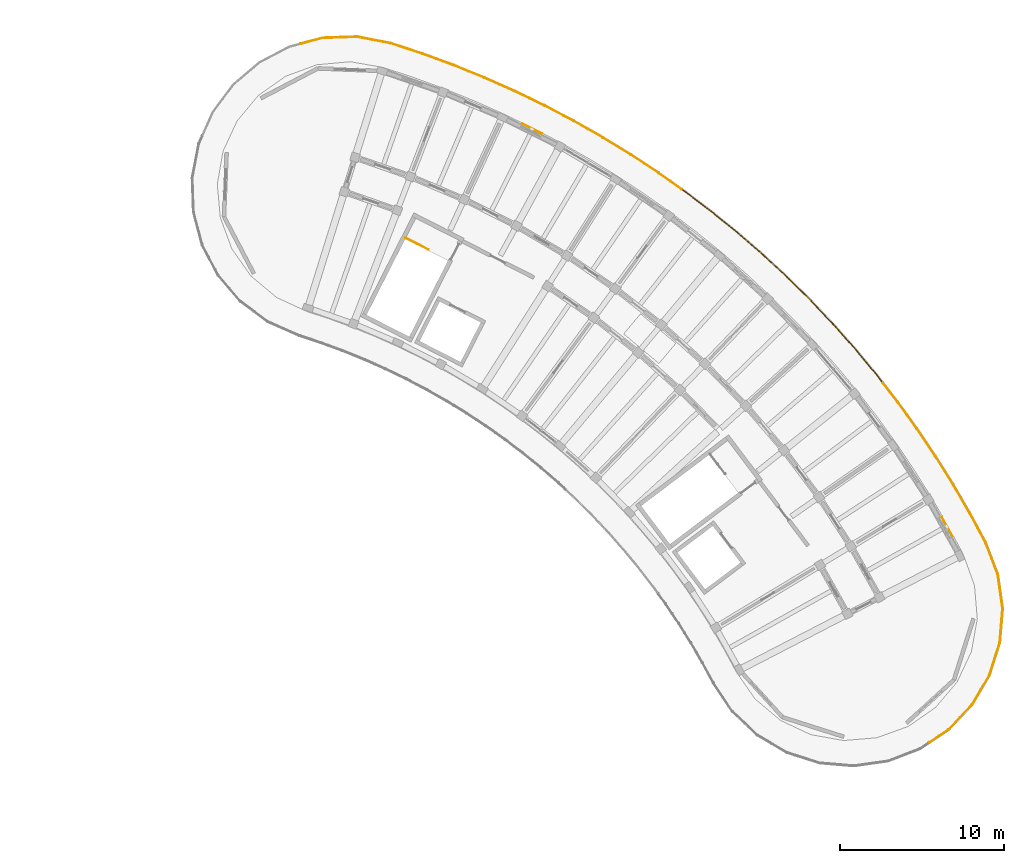
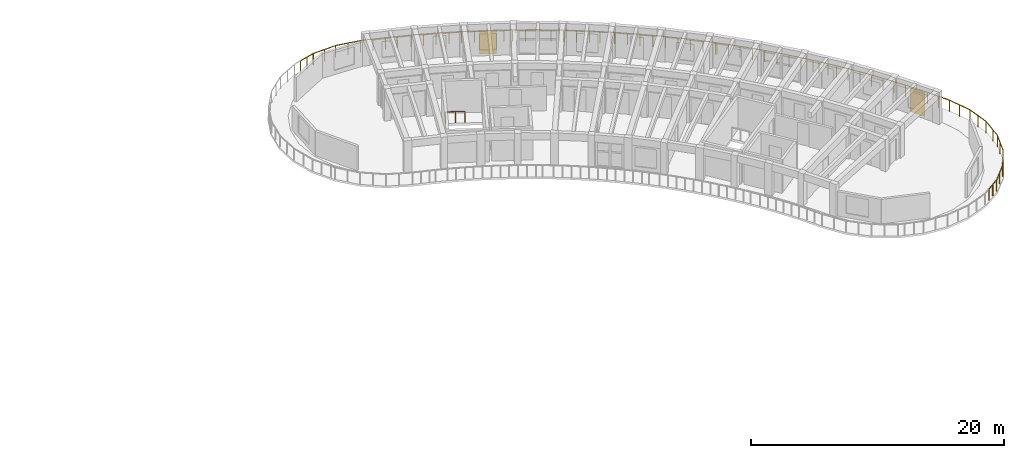
# One storey, part 32 of 32: 9 railings, 2 shading devices.
"""IFC4 building model written with IfcOpenShell, lengths in metres."""

from ifc_helpers import new_model, si_unit, direction, frame, origin, origin_2d, place, context, subcontext, project, spatial, rectangle, circle, extrude, material, layer, layer_set, type_object, element, save


model = new_model("IFC4")

# Units and contexts
model_context = context("Model", 3, precision=1e-05, world=origin(), true_north=direction((0.0, 1.0)))
body_context = subcontext(model_context, "Body", "Model", "MODEL_VIEW")
ifc_project = project(units=[si_unit("LENGTHUNIT", "METRE"), si_unit("AREAUNIT", "SQUARE_METRE"), si_unit("VOLUMEUNIT", "CUBIC_METRE"), si_unit("PLANEANGLEUNIT", "RADIAN"), si_unit("MASSUNIT", "GRAM", prefix="KILO")], contexts=[model_context])

# Site, building, storey
site_placement = place(None, origin())
site = spatial("IfcSite", under=ifc_project, at=site_placement, CompositionType="ELEMENT")
building_placement = place(site_placement, origin())
building = spatial("IfcBuilding", under=site, at=building_placement, Name="Tanwirah Colonnade Gardens", CompositionType="ELEMENT")
storey_placement = place(building_placement, frame((0.0, 0.0, 42.43994140625)))
storey = spatial("IfcBuildingStorey", under=building, at=storey_placement, Name="L12", CompositionType="ELEMENT", Elevation=42.43994140625)

# Railings
ifc_material_1 = material(Name="Precast concrete C40/50", Category="concrete")
railing_type_1 = type_object("IfcRailingType", Name="BAL-EXT112", PredefinedType="BALUSTRADE", material=ifc_material_1)
railing_1_placement = place(storey_placement, frame((133.782958984375, 118.701416015625, 0.0)))
element("IfcRailing", 1, at=railing_1_placement, inside=storey, type_object=railing_type_1, Name="Block B L12 Balcony Ribbon Balustrade 8", PredefinedType="BALUSTRADE", context=body_context, shape_type="SweptSolid", body=[
    extrude(circle(Radius=0.02392578125, at=origin_2d()), frame((0.0302734375, 0.008056640625, 1.09619140625), z_axis=(0.966786526516, 0.255585234603, 0.0), x_axis=(-0.255585234603, 0.966786526516, 0.0)), (0.0, 0.0, 1.0), 1.3349609375),
    extrude(circle(Radius=0.02392578125, at=origin_2d()), frame((1.38232421875, 0.358154296875, 1.09619140625), z_axis=(0.99942036121, 0.034043231314, 0.0), x_axis=(-0.034043231314, 0.99942036121, 0.0)), (0.0, 0.0, 1.0), 2.0244140625),
    extrude(circle(Radius=0.02392578125, at=origin_2d()), frame((3.467529296875, 0.42236328125, 1.09619140625), z_axis=(0.981943925546, -0.18917221541, 0.0), x_axis=(0.18917221541, 0.981943925546, 0.0)), (0.0, 0.0, 1.0), 2.0283203125),
    extrude(circle(Radius=0.02392578125, at=origin_2d()), frame((5.51953125, 0.02294921875, 1.09619140625), z_axis=(0.949538943768, -0.313649157926, 0.0), x_axis=(0.313649157926, 0.949538943768, 0.0)), (0.0, 0.0, 1.0), 1.955078125),
    extrude(circle(Radius=0.02392578125, at=origin_2d()), frame((7.434814453125, -0.61083984375, 1.09619140625), z_axis=(0.938728394711, -0.344657802701, 0.0), x_axis=(0.344657802701, 0.938728394711, 0.0)), (0.0, 0.0, 1.0), 0.844970703125),
    extrude(circle(Radius=0.02099609375, at=origin_2d()), origin(), (0.0, 0.0, 1.0), 1.069091796875),
    extrude(circle(Radius=0.02099609375, at=origin_2d()), frame((0.675537109375, 0.1787109375, 0.0)), (0.0, 0.0, 1.0), 1.069091796875),
    extrude(circle(Radius=0.02099609375, at=origin_2d()), frame((1.35107421875, 0.357177734375, 0.0)), (0.0, 0.0, 1.0), 1.069091796875),
    extrude(circle(Radius=0.02099609375, at=origin_2d()), frame((2.39404296875, 0.392578125, 0.0)), (0.0, 0.0, 1.0), 1.069091796875),
    extrude(circle(Radius=0.02099609375, at=origin_2d()), frame((3.436767578125, 0.42822265625, 0.0)), (0.0, 0.0, 1.0), 1.069091796875),
    extrude(circle(Radius=0.02099609375, at=origin_2d()), frame((4.46337890625, 0.23046875, 0.0)), (0.0, 0.0, 1.0), 1.069091796875),
    extrude(circle(Radius=0.02099609375, at=origin_2d()), frame((5.48974609375, 0.03271484375, 0.0)), (0.0, 0.0, 1.0), 1.069091796875),
    extrude(circle(Radius=0.02099609375, at=origin_2d()), frame((6.44775390625, -0.28369140625, 0.0)), (0.0, 0.0, 1.0), 1.069091796875),
    extrude(circle(Radius=0.02099609375, at=origin_2d()), frame((7.405517578125, -0.60009765625, 0.0)), (0.0, 0.0, 1.0), 1.069091796875),
    extrude(circle(Radius=0.02099609375, at=origin_2d()), frame((8.25732421875, -0.912841796875, 0.0)), (0.0, 0.0, 1.0), 1.069091796875),
])
railing_2_placement = place(storey_placement, frame((142.040283203125, 117.78857421875, 0.0)))
element("IfcRailing", 2, at=railing_2_placement, inside=storey, type_object=railing_type_1, Name="Block B L12 Balcony Ribbon Balustrade 9", PredefinedType="BALUSTRADE", context=body_context, shape_type="SweptSolid", body=[
    extrude(circle(Radius=0.02392578125, at=origin_2d()), frame((0.029296875, -0.0107421875, 1.09619140625), z_axis=(0.93872040888, -0.34467955256, 0.0), x_axis=(0.34467955256, 0.93872040888, 0.0)), (0.0, 0.0, 1.0), 1.0517578125),
    extrude(circle(Radius=0.02392578125, at=origin_2d()), frame((1.074951171875, -0.395751953125, 1.09619140625), z_axis=(0.926784720453, -0.375592973757, 0.0), x_axis=(0.375592973757, 0.926784720453, 0.0)), (0.0, 0.0, 1.0), 1.958984375),
    extrude(circle(Radius=0.02392578125, at=origin_2d()), frame((2.947998046875, -1.156005859375, 1.09619140625), z_axis=(0.913950953394, -0.405824660156, 0.0), x_axis=(0.405824660156, 0.913950953394, 0.0)), (0.0, 0.0, 1.0), 1.958740234375),
    extrude(circle(Radius=0.02392578125, at=origin_2d()), frame((4.794921875, -1.977294921875, 1.09619140625), z_axis=(0.900055350621, -0.435775591122, 0.0), x_axis=(0.435775591122, 0.900055350621, 0.0)), (0.0, 0.0, 1.0), 1.958740234375),
    extrude(circle(Radius=0.02392578125, at=origin_2d()), frame((6.61376953125, -2.859130859375, 1.09619140625), z_axis=(0.885230583026, -0.465152464119, 0.0), x_axis=(0.465152464119, 0.885230583026, 0.0)), (0.0, 0.0, 1.0), 1.259033203125),
    extrude(circle(Radius=0.02099609375, at=origin_2d()), origin(), (0.0, 0.0, 1.0), 1.069091796875),
    extrude(circle(Radius=0.02099609375, at=origin_2d()), frame((1.0458984375, -0.384033203125, 0.0)), (0.0, 0.0, 1.0), 1.069091796875),
    extrude(circle(Radius=0.02099609375, at=origin_2d()), frame((1.982666015625, -0.763671875, 0.0)), (0.0, 0.0, 1.0), 1.069091796875),
    extrude(circle(Radius=0.02099609375, at=origin_2d()), frame((2.91943359375, -1.143310546875, 0.0)), (0.0, 0.0, 1.0), 1.069091796875),
    extrude(circle(Radius=0.02099609375, at=origin_2d()), frame((3.84326171875, -1.553466796875, 0.0)), (0.0, 0.0, 1.0), 1.069091796875),
    extrude(circle(Radius=0.02099609375, at=origin_2d()), frame((4.766845703125, -1.963623046875, 0.0)), (0.0, 0.0, 1.0), 1.069091796875),
    extrude(circle(Radius=0.02099609375, at=origin_2d()), frame((5.676513671875, -2.404052734375, 0.0)), (0.0, 0.0, 1.0), 1.069091796875),
    extrude(circle(Radius=0.02099609375, at=origin_2d()), frame((6.586181640625, -2.844482421875, 0.0)), (0.0, 0.0, 1.0), 1.069091796875),
    extrude(circle(Radius=0.02099609375, at=origin_2d()), frame((7.756103515625, -3.459228515625, 0.0)), (0.0, 0.0, 1.0), 1.069091796875),
])
railing_3_placement = place(storey_placement, frame((149.79638671875, 114.329345703125, 0.0)))
element("IfcRailing", 3, at=railing_3_placement, inside=storey, type_object=railing_type_1, Name="Block B L12 Balcony Ribbon Balustrade 10", PredefinedType="BALUSTRADE", context=body_context, shape_type="SweptSolid", body=[
    extrude(circle(Radius=0.02392578125, at=origin_2d()), frame((0.027587890625, -0.0146484375, 1.09619140625), z_axis=(0.885175313898, -0.465257631497, 0.0), x_axis=(0.465257631497, 0.885175313898, 0.0)), (0.0, 0.0, 1.0), 0.637451171875),
    extrude(circle(Radius=0.02392578125, at=origin_2d()), frame((0.646728515625, -0.341064453125, 1.09619140625), z_axis=(0.869392881113, -0.494121461049, 0.0), x_axis=(0.494121461049, 0.869392881113, 0.0)), (0.0, 0.0, 1.0), 1.958740234375),
    extrude(circle(Radius=0.02392578125, at=origin_2d()), frame((2.403564453125, -1.3408203125, 1.09619140625), z_axis=(0.852660263329, -0.522465764754, 0.0), x_axis=(0.522465764754, 0.852660263329, 0.0)), (0.0, 0.0, 1.0), 1.958984375),
    extrude(circle(Radius=0.02392578125, at=origin_2d()), frame((4.126708984375, -2.397705078125, 1.09619140625), z_axis=(0.834955682369, -0.550317188973, 0.0), x_axis=(0.550317188973, 0.834955682369, 0.0)), (0.0, 0.0, 1.0), 1.959228515625),
    extrude(circle(Radius=0.02392578125, at=origin_2d()), frame((5.814208984375, -3.51123046875, 1.09619140625), z_axis=(0.816320192211, -0.577599639707, 0.0), x_axis=(0.577599639707, 0.816320192211, 0.0)), (0.0, 0.0, 1.0), 1.673095703125),
    extrude(circle(Radius=0.02099609375, at=origin_2d()), origin(), (0.0, 0.0, 1.0), 1.069091796875),
    extrude(circle(Radius=0.02099609375, at=origin_2d()), frame((0.61962890625, -0.32568359375, 0.0)), (0.0, 0.0, 1.0), 1.069091796875),
    extrude(circle(Radius=0.02099609375, at=origin_2d()), frame((1.498291015625, -0.8251953125, 0.0)), (0.0, 0.0, 1.0), 1.069091796875),
    extrude(circle(Radius=0.02099609375, at=origin_2d()), frame((2.376953125, -1.324462890625, 0.0)), (0.0, 0.0, 1.0), 1.069091796875),
    extrude(circle(Radius=0.02099609375, at=origin_2d()), frame((3.23876953125, -1.8525390625, 0.0)), (0.0, 0.0, 1.0), 1.069091796875),
    extrude(circle(Radius=0.02099609375, at=origin_2d()), frame((4.1005859375, -2.380615234375, 0.0)), (0.0, 0.0, 1.0), 1.069091796875),
    extrude(circle(Radius=0.02099609375, at=origin_2d()), frame((4.944580078125, -2.93701171875, 0.0)), (0.0, 0.0, 1.0), 1.069091796875),
    extrude(circle(Radius=0.02099609375, at=origin_2d()), frame((5.78857421875, -3.4931640625, 0.0)), (0.0, 0.0, 1.0), 1.069091796875),
    extrude(circle(Radius=0.02099609375, at=origin_2d()), frame((6.4970703125, -3.994384765625, 0.0)), (0.0, 0.0, 1.0), 1.069091796875),
    extrude(circle(Radius=0.02099609375, at=origin_2d()), frame((7.205322265625, -4.49560546875, 0.0)), (0.0, 0.0, 1.0), 1.069091796875),
])
railing_4_placement = place(storey_placement, frame((157.001708984375, 109.833740234375, 0.0)))
element("IfcRailing", 4, at=railing_4_placement, inside=storey, type_object=railing_type_1, Name="Block B L12 Balcony Ribbon Balustrade 11", PredefinedType="BALUSTRADE", context=body_context, shape_type="SweptSolid", body=[
    extrude(circle(Radius=0.02392578125, at=origin_2d()), frame((0.025634765625, -0.01806640625, 1.09619140625), z_axis=(0.816494198579, -0.577353638325, 0.0), x_axis=(0.577353638325, 0.816494198579, 0.0)), (0.0, 0.0, 1.0), 0.223388671875),
    extrude(circle(Radius=0.02392578125, at=origin_2d()), frame((0.25830078125, -0.183837890625, 1.09619140625), z_axis=(0.796887753746, -0.604127393792, 0.0), x_axis=(0.604127393792, 0.796887753746, 0.0)), (0.0, 0.0, 1.0), 1.958984375),
    extrude(circle(Radius=0.02392578125, at=origin_2d()), frame((1.868408203125, -1.406005859375, 1.09619140625), z_axis=(0.776549722569, -0.630055972417, 0.0), x_axis=(0.630055972417, 0.776549722569, 0.0)), (0.0, 0.0, 1.0), 1.958984375),
    extrude(circle(Radius=0.02392578125, at=origin_2d()), frame((3.437744140625, -2.680419921875, 1.09619140625), z_axis=(0.755338292497, -0.655335077565, 0.0), x_axis=(0.655335077565, 0.755338292497, 0.0)), (0.0, 0.0, 1.0), 1.958984375),
    extrude(circle(Radius=0.02392578125, at=origin_2d()), frame((4.9638671875, -4.005859375, 1.09619140625), z_axis=(0.733352454033, -0.679848643569, 0.0), x_axis=(0.679848643569, 0.733352454033, 0.0)), (0.0, 0.0, 1.0), 1.958984375),
    extrude(circle(Radius=0.02392578125, at=origin_2d()), frame((6.445556640625, -5.380859375, 1.09619140625), z_axis=(0.709956068525, -0.704245966097, 0.0), x_axis=(0.704245966097, 0.709956068525, 0.0)), (0.0, 0.0, 1.0), 0.065673828125),
    extrude(circle(Radius=0.02099609375, at=origin_2d()), origin(), (0.0, 0.0, 1.0), 1.069091796875),
    extrude(circle(Radius=0.02099609375, at=origin_2d()), frame((0.2333984375, -0.1650390625, 0.0)), (0.0, 0.0, 1.0), 1.069091796875),
    extrude(circle(Radius=0.02099609375, at=origin_2d()), frame((1.038818359375, -0.775634765625, 0.0)), (0.0, 0.0, 1.0), 1.069091796875),
    extrude(circle(Radius=0.02099609375, at=origin_2d()), frame((1.84423828125, -1.38623046875, 0.0)), (0.0, 0.0, 1.0), 1.069091796875),
    extrude(circle(Radius=0.02099609375, at=origin_2d()), frame((2.629150390625, -2.02294921875, 0.0)), (0.0, 0.0, 1.0), 1.069091796875),
    extrude(circle(Radius=0.02099609375, at=origin_2d()), frame((3.4140625, -2.659912109375, 0.0)), (0.0, 0.0, 1.0), 1.069091796875),
    extrude(circle(Radius=0.02099609375, at=origin_2d()), frame((4.177490234375, -3.322265625, 0.0)), (0.0, 0.0, 1.0), 1.069091796875),
    extrude(circle(Radius=0.02099609375, at=origin_2d()), frame((4.94091796875, -3.984619140625, 0.0)), (0.0, 0.0, 1.0), 1.069091796875),
    extrude(circle(Radius=0.02099609375, at=origin_2d()), frame((5.68212890625, -4.671875, 0.0)), (0.0, 0.0, 1.0), 1.069091796875),
    extrude(circle(Radius=0.02099609375, at=origin_2d()), frame((6.42333984375, -5.35888671875, 0.0)), (0.0, 0.0, 1.0), 1.069091796875),
    extrude(circle(Radius=0.02099609375, at=origin_2d()), frame((6.514404296875, -5.44921875, 0.0)), (0.0, 0.0, 1.0), 1.069091796875),
])
railing_5_placement = place(storey_placement, frame((163.51611328125, 104.384521484375, 0.0)))
element("IfcRailing", 5, at=railing_5_placement, inside=storey, type_object=railing_type_1, Name="Block B L12 Balcony Ribbon Balustrade 12", PredefinedType="BALUSTRADE", context=body_context, shape_type="SweptSolid", body=[
    extrude(circle(Radius=0.02392578125, at=origin_2d()), frame((0.022216796875, -0.02197265625, 1.09619140625), z_axis=(0.71051570496, -0.703681343369, 0.0), x_axis=(0.703681343369, 0.71051570496, 0.0)), (0.0, 0.0, 1.0), 1.830810546875),
    extrude(circle(Radius=0.02392578125, at=origin_2d()), frame((1.36669921875, -1.35498046875, 1.09619140625), z_axis=(0.686960364449, -0.726694886232, 0.0), x_axis=(0.726694886232, 0.686960364449, 0.0)), (0.0, 0.0, 1.0), 1.958984375),
    extrude(circle(Radius=0.02392578125, at=origin_2d()), frame((2.754638671875, -2.82470703125, 1.09619140625), z_axis=(0.662607760508, -0.748966591854, 0.0), x_axis=(0.748966591854, 0.662607760508, 0.0)), (0.0, 0.0, 1.0), 1.958740234375),
    extrude(circle(Radius=0.02392578125, at=origin_2d()), frame((4.09326171875, -4.33935546875, 1.09619140625), z_axis=(0.637555355491, -0.770404548717, 0.0), x_axis=(0.770404548717, 0.637555355491, 0.0)), (0.0, 0.0, 1.0), 1.958984375),
    extrude(circle(Radius=0.02392578125, at=origin_2d()), frame((5.381103515625, -5.897216796875, 1.09619140625), z_axis=(0.612100569499, -0.790779926919, 0.0), x_axis=(0.790779926919, 0.612100569499, 0.0)), (0.0, 0.0, 1.0), 0.47998046875),
    extrude(circle(Radius=0.02099609375, at=origin_2d()), origin(), (0.0, 0.0, 1.0), 1.069091796875),
    extrude(circle(Radius=0.02099609375, at=origin_2d()), frame((0.672607421875, -0.666015625, 0.0)), (0.0, 0.0, 1.0), 1.069091796875),
    extrude(circle(Radius=0.02099609375, at=origin_2d()), frame((1.34521484375, -1.332275390625, 0.0)), (0.0, 0.0, 1.0), 1.069091796875),
    extrude(circle(Radius=0.02099609375, at=origin_2d()), frame((2.03955078125, -2.06689453125, 0.0)), (0.0, 0.0, 1.0), 1.069091796875),
    extrude(circle(Radius=0.02099609375, at=origin_2d()), frame((2.73388671875, -2.80126953125, 0.0)), (0.0, 0.0, 1.0), 1.069091796875),
    extrude(circle(Radius=0.02099609375, at=origin_2d()), frame((3.403564453125, -3.55810546875, 0.0)), (0.0, 0.0, 1.0), 1.069091796875),
    extrude(circle(Radius=0.02099609375, at=origin_2d()), frame((4.0732421875, -4.315185546875, 0.0)), (0.0, 0.0, 1.0), 1.069091796875),
    extrude(circle(Radius=0.02099609375, at=origin_2d()), frame((4.7177734375, -5.09375, 0.0)), (0.0, 0.0, 1.0), 1.069091796875),
    extrude(circle(Radius=0.02099609375, at=origin_2d()), frame((5.362060546875, -5.87255859375, 0.0)), (0.0, 0.0, 1.0), 1.069091796875),
    extrude(circle(Radius=0.02099609375, at=origin_2d()), frame((5.694091796875, -6.301513671875, 0.0)), (0.0, 0.0, 1.0), 1.069091796875),
])
railing_6_placement = place(storey_placement, frame((169.210205078125, 98.0830078125, 0.0)))
element("IfcRailing", 6, at=railing_6_placement, inside=storey, type_object=railing_type_1, Name="Block B L12 Balcony Ribbon Balustrade 13", PredefinedType="BALUSTRADE", context=body_context, shape_type="SweptSolid", body=[
    extrude(circle(Radius=0.02392578125, at=origin_2d()), frame((0.01904296875, -0.024658203125, 1.09619140625), z_axis=(0.61176692315, -0.791038072244, 0.0), x_axis=(0.791038072244, 0.61176692315, 0.0)), (0.0, 0.0, 1.0), 1.41650390625),
    extrude(circle(Radius=0.02392578125, at=origin_2d()), frame((0.923095703125, -1.1953125, 1.09619140625), z_axis=(0.585468507287, -0.810695150457, 0.0), x_axis=(0.810695150457, 0.585468507287, 0.0)), (0.0, 0.0, 1.0), 1.958984375),
    extrude(circle(Radius=0.02392578125, at=origin_2d()), frame((2.105712890625, -2.834716796875, 1.09619140625), z_axis=(0.558345997542, -0.829608188863, 0.0), x_axis=(0.829608188863, 0.558345997542, 0.0)), (0.0, 0.0, 1.0), 1.958984375),
    extrude(circle(Radius=0.02392578125, at=origin_2d()), frame((3.233642578125, -4.512451171875, 1.09619140625), z_axis=(0.530812919598, -0.847489023167, 0.0), x_axis=(0.847489023167, 0.530812919598, 0.0)), (0.0, 0.0, 1.0), 1.958984375),
    extrude(circle(Radius=0.02392578125, at=origin_2d()), frame((4.3056640625, -6.22607421875, 1.09619140625), z_axis=(0.502394153774, -0.864638718919, 0.0), x_axis=(0.864638718919, 0.502394153774, 0.0)), (0.0, 0.0, 1.0), 0.893798828125),
    extrude(circle(Radius=0.02099609375, at=origin_2d()), origin(), (0.0, 0.0, 1.0), 1.069091796875),
    extrude(circle(Radius=0.02099609375, at=origin_2d()), frame((0.452392578125, -0.5849609375, 0.0)), (0.0, 0.0, 1.0), 1.069091796875),
    extrude(circle(Radius=0.02099609375, at=origin_2d()), frame((0.90478515625, -1.169921875, 0.0)), (0.0, 0.0, 1.0), 1.069091796875),
    extrude(circle(Radius=0.02099609375, at=origin_2d()), frame((1.49658203125, -1.9892578125, 0.0)), (0.0, 0.0, 1.0), 1.069091796875),
    extrude(circle(Radius=0.02099609375, at=origin_2d()), frame((2.08837890625, -2.808837890625, 0.0)), (0.0, 0.0, 1.0), 1.069091796875),
    extrude(circle(Radius=0.02099609375, at=origin_2d()), frame((2.65283203125, -3.6474609375, 0.0)), (0.0, 0.0, 1.0), 1.069091796875),
    extrude(circle(Radius=0.02099609375, at=origin_2d()), frame((3.217041015625, -4.48583984375, 0.0)), (0.0, 0.0, 1.0), 1.069091796875),
    extrude(circle(Radius=0.02099609375, at=origin_2d()), frame((3.75341796875, -5.34228515625, 0.0)), (0.0, 0.0, 1.0), 1.069091796875),
    extrude(circle(Radius=0.02099609375, at=origin_2d()), frame((4.2900390625, -6.198974609375, 0.0)), (0.0, 0.0, 1.0), 1.069091796875),
    extrude(circle(Radius=0.02099609375, at=origin_2d()), frame((4.7705078125, -7.02587890625, 0.0)), (0.0, 0.0, 1.0), 1.069091796875),
])
railing_7_placement = place(storey_placement, frame((173.980712890625, 91.05712890625, 0.0)))
element("IfcRailing", 7, at=railing_7_placement, inside=storey, type_object=railing_type_1, Name="Block B L12 Balcony Ribbon Balustrade 14", PredefinedType="BALUSTRADE", context=body_context, shape_type="SweptSolid", body=[
    extrude(circle(Radius=0.02392578125, at=origin_2d()), frame((0.015625, -0.027099609375, 1.09619140625), z_axis=(0.502445152034, -0.864609084614, 0.0), x_axis=(0.864609084614, 0.502445152034, 0.0)), (0.0, 0.0, 1.0), 1.002685546875),
    extrude(circle(Radius=0.02392578125, at=origin_2d()), frame((0.550048828125, -0.948486328125, 1.09619140625), z_axis=(0.473825613397, -0.880618696196, 0.0), x_axis=(0.880618696196, 0.473825613397, 0.0)), (0.0, 0.0, 1.0), 1.955322265625),
    extrude(circle(Radius=0.02392578125, at=origin_2d()), frame((1.50244140625, -2.72705078125, 1.09619140625), z_axis=(0.356747891144, -0.934200696941, 0.0), x_axis=(0.934200696941, 0.356747891144, 0.0)), (0.0, 0.0, 1.0), 2.028076171875),
    extrude(circle(Radius=0.02392578125, at=origin_2d()), frame((2.241455078125, -4.681884765625, 1.09619140625), z_axis=(0.140045335647, -0.99014509238, 0.0), x_axis=(0.99014509238, 0.140045335647, 0.0)), (0.0, 0.0, 1.0), 2.024169921875),
    extrude(circle(Radius=0.02392578125, at=origin_2d()), frame((2.526611328125, -6.748291015625, 1.09619140625), z_axis=(-0.0838764758, -0.996476159678, 0.0), x_axis=(0.996476159678, -0.0838764758, 0.0)), (0.0, 0.0, 1.0), 1.177490234375),
    extrude(circle(Radius=0.02099609375, at=origin_2d()), origin(), (0.0, 0.0, 1.0), 1.069091796875),
    extrude(circle(Radius=0.02099609375, at=origin_2d()), frame((0.53515625, -0.9208984375, 0.0)), (0.0, 0.0, 1.0), 1.069091796875),
    extrude(circle(Radius=0.02099609375, at=origin_2d()), frame((1.01318359375, -1.809326171875, 0.0)), (0.0, 0.0, 1.0), 1.069091796875),
    extrude(circle(Radius=0.02099609375, at=origin_2d()), frame((1.4912109375, -2.69775390625, 0.0)), (0.0, 0.0, 1.0), 1.069091796875),
    extrude(circle(Radius=0.02099609375, at=origin_2d()), frame((1.8642578125, -3.67431640625, 0.0)), (0.0, 0.0, 1.0), 1.069091796875),
    extrude(circle(Radius=0.02099609375, at=origin_2d()), frame((2.237060546875, -4.65087890625, 0.0)), (0.0, 0.0, 1.0), 1.069091796875),
    extrude(circle(Radius=0.02099609375, at=origin_2d()), frame((2.38330078125, -5.68408203125, 0.0)), (0.0, 0.0, 1.0), 1.069091796875),
    extrude(circle(Radius=0.02099609375, at=origin_2d()), frame((2.529296875, -6.717041015625, 0.0)), (0.0, 0.0, 1.0), 1.069091796875),
    extrude(circle(Radius=0.02099609375, at=origin_2d()), frame((2.42529296875, -7.95263671875, 0.0)), (0.0, 0.0, 1.0), 1.069091796875),
])
railing_8_placement = place(storey_placement, frame((176.406005859375, 83.1044921875, 0.0)))
element("IfcRailing", 8, at=railing_8_placement, inside=storey, type_object=railing_type_1, Name="Block B L12 Balcony Ribbon Balustrade 15", PredefinedType="BALUSTRADE", context=body_context, shape_type="SweptSolid", body=[
    extrude(circle(Radius=0.02392578125, at=origin_2d()), frame((-0.002685546875, -0.03125, 1.09619140625), z_axis=(-0.083880378039, -0.996475831207, 0.0), x_axis=(0.996475831207, -0.083880378039, 0.0)), (0.0, 0.0, 1.0), 0.784423828125),
    extrude(circle(Radius=0.02392578125, at=origin_2d()), frame((-0.08056640625, -0.873779296875, 1.09619140625), z_axis=(-0.303459565149, -0.952844316937, 0.0), x_axis=(0.952844316937, -0.303459565149, 0.0)), (0.0, 0.0, 1.0), 2.0244140625),
    extrude(circle(Radius=0.02392578125, at=origin_2d()), frame((-0.72021484375, -2.859375, 1.09619140625), z_axis=(-0.507822547411, -0.861461699869, 0.0), x_axis=(0.861461699869, -0.507822547411, 0.0)), (0.0, 0.0, 1.0), 2.0244140625),
    extrude(circle(Radius=0.02392578125, at=origin_2d()), frame((-1.78564453125, -4.653076171875, 1.09619140625), z_axis=(-0.686939500994, -0.72671460834, 0.0), x_axis=(0.72671460834, -0.686939500994, 0.0)), (0.0, 0.0, 1.0), 2.0244140625),
    extrude(circle(Radius=0.02392578125, at=origin_2d()), frame((-3.2236328125, -6.164306640625, 1.09619140625), z_axis=(-0.831321057793, -0.555792496234, 0.0), x_axis=(0.555792496234, -0.831321057793, 0.0)), (0.0, 0.0, 1.0), 1.32958984375),
    extrude(circle(Radius=0.02099609375, at=origin_2d()), origin(), (0.0, 0.0, 1.0), 1.069091796875),
    extrude(circle(Radius=0.02099609375, at=origin_2d()), frame((-0.071044921875, -0.843994140625, 0.0)), (0.0, 0.0, 1.0), 1.069091796875),
    extrude(circle(Radius=0.02099609375, at=origin_2d()), frame((-0.3876953125, -1.83837890625, 0.0)), (0.0, 0.0, 1.0), 1.069091796875),
    extrude(circle(Radius=0.02099609375, at=origin_2d()), frame((-0.704345703125, -2.83251953125, 0.0)), (0.0, 0.0, 1.0), 1.069091796875),
    extrude(circle(Radius=0.02099609375, at=origin_2d()), frame((-1.234375, -3.7314453125, 0.0)), (0.0, 0.0, 1.0), 1.069091796875),
    extrude(circle(Radius=0.02099609375, at=origin_2d()), frame((-1.76416015625, -4.63037109375, 0.0)), (0.0, 0.0, 1.0), 1.069091796875),
    extrude(circle(Radius=0.02099609375, at=origin_2d()), frame((-2.48095703125, -5.388671875, 0.0)), (0.0, 0.0, 1.0), 1.069091796875),
    extrude(circle(Radius=0.02099609375, at=origin_2d()), frame((-3.19775390625, -6.14697265625, 0.0)), (0.0, 0.0, 1.0), 1.069091796875),
    extrude(circle(Radius=0.02099609375, at=origin_2d()), frame((-3.7763671875, -6.53369140625, 0.0)), (0.0, 0.0, 1.0), 1.069091796875),
    extrude(circle(Radius=0.02099609375, at=origin_2d()), frame((-4.35498046875, -6.920654296875, 0.0)), (0.0, 0.0, 1.0), 1.069091796875),
])
ifc_material_2 = material(Name="Powder-coated galvanized steel", Category="steel")
railing_type_2 = type_object("IfcRailingType", Name="GRD-ST110", PredefinedType="GUARDRAIL", material=ifc_material_2)
railing_9_placement = place(storey_placement, frame((140.1826171875, 106.87890625, 0.0)))
element("IfcRailing", 9, at=railing_9_placement, inside=storey, type_object=railing_type_2, Name="L12 ST-B2 top well guard 1", PredefinedType="GUARDRAIL", context=body_context, shape_type="SweptSolid", body=[
    extrude(circle(Radius=0.02392578125, at=origin_2d()), frame((0.02783203125, -0.01416015625, 1.076171875), z_axis=(0.891040706805, -0.453923406332, 0.0), x_axis=(0.453923406332, 0.891040706805, 0.0)), (0.0, 0.0, 1.0), 1.477294921875),
    extrude(circle(Radius=0.02099609375, at=origin_2d()), origin(), (0.0, 0.0, 1.0), 1.049072265625),
    extrude(circle(Radius=0.02099609375, at=origin_2d()), frame((0.68603515625, -0.349609375, 0.0)), (0.0, 0.0, 1.0), 1.049072265625),
    extrude(circle(Radius=0.02099609375, at=origin_2d()), frame((1.3720703125, -0.698974609375, 0.0)), (0.0, 0.0, 1.0), 1.049072265625),
])

# Shading devices
ifc_material_3 = material(Name="Perforated architectural bronze aluminium", Category="aluminium")
ifc_layer = layer(ifc_material_3, 0.044921875)
ifc_layer_set = layer_set([ifc_layer], Name="Perforated architectural bronze aluminium")
shading_device_type = type_object("IfcShadingDeviceType", Name="SHD-MSH1", PredefinedType="JALOUSIE", material=ifc_layer_set)
shading_device_1_placement = place(storey_placement, frame((173.1376953125, 89.328125, 0.0), z_axis=(0.0, 0.0, 1.0), x_axis=(-0.488197617823, 0.872733112671, 0.0)))
element("IfcShadingDevice", 10, at=shading_device_1_placement, inside=storey, type_object=shading_device_type, Name="Bronze mashrabiya solar screen B-L12-03", PredefinedType="JALOUSIE", context=body_context, shape_type="SweptSolid", body=[
    extrude(rectangle(XDim=1.35009765625, YDim=0.044921875, at=origin_2d()), origin(), (0.0, 0.0, 1.0), 2.284912109375),
])
shading_device_2_placement = place(storey_placement, frame((147.8779296875, 113.53271484375, 0.0), z_axis=(0.0, 0.0, 1.0), x_axis=(-0.892760732923, 0.450531101868, 0.0)))
element("IfcShadingDevice", 11, at=shading_device_2_placement, inside=storey, type_object=shading_device_type, Name="Bronze mashrabiya solar screen B-L12-12", PredefinedType="JALOUSIE", context=body_context, shape_type="SweptSolid", body=[
    extrude(rectangle(XDim=1.35009765625, YDim=0.044921875, at=origin_2d()), origin(), (0.0, 0.0, 1.0), 2.2099609375),
])

save(model, "model.ifc")
